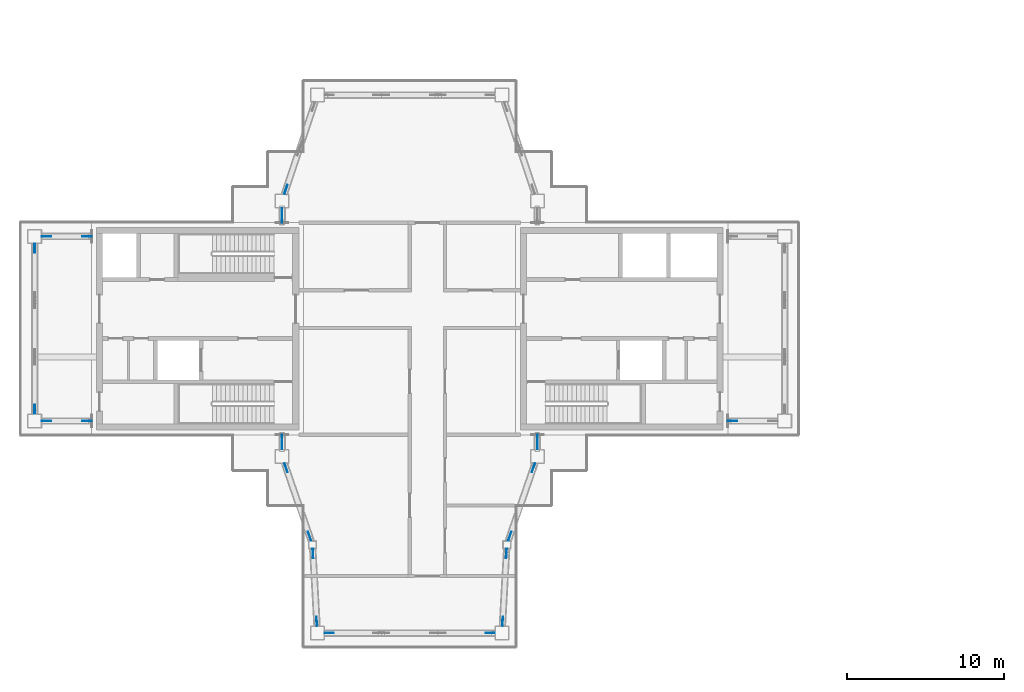
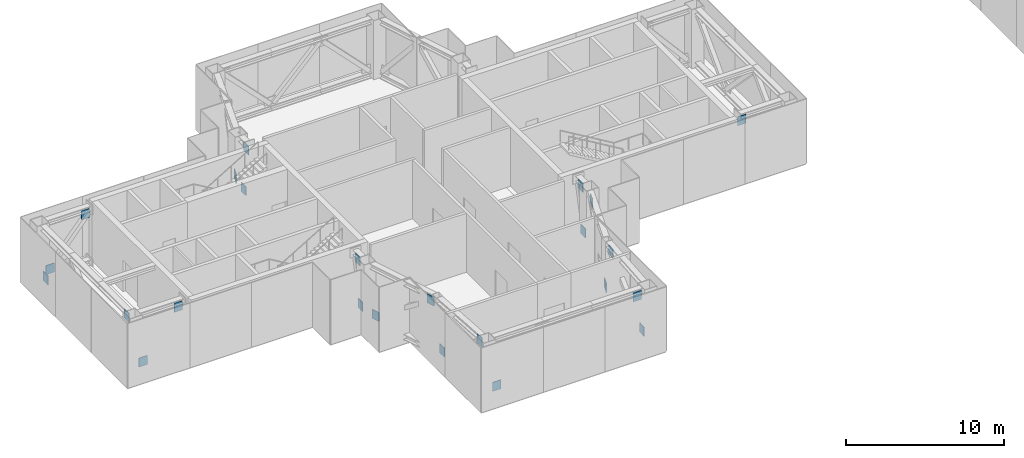
# One storey, part 13 of 18: 24 discrete accessories.
"""IFC4 building model written with IfcOpenShell, lengths in metres."""

from ifc_helpers import new_model, si_unit, direction, frame, origin, origin_2d, place, context, subcontext, project, spatial, rectangle, extrude, material, layer, layer_set, type_object, element, save


model = new_model("IFC4")

# Units and contexts
model_context = context("Model", 3, precision=1e-05, world=origin(), true_north=direction((0.0, 1.0)))
body_context = subcontext(model_context, "Body", "Model", "MODEL_VIEW")
ifc_project = project(units=[si_unit("LENGTHUNIT", "METRE"), si_unit("AREAUNIT", "SQUARE_METRE"), si_unit("VOLUMEUNIT", "CUBIC_METRE"), si_unit("PLANEANGLEUNIT", "RADIAN"), si_unit("MASSUNIT", "GRAM", prefix="KILO")], contexts=[model_context])

# Site, building, storey
site_placement = place(None, origin())
site = spatial("IfcSite", under=ifc_project, at=site_placement, CompositionType="ELEMENT")
building_placement = place(site_placement, origin())
building = spatial("IfcBuilding", under=site, at=building_placement, Name="Shamsa Quay Exchange Towers", CompositionType="ELEMENT")
storey_placement = place(building_placement, frame((0.0, 0.0, 273.300048828125)))
storey = spatial("IfcBuildingStorey", under=building, at=storey_placement, Name="L66", CompositionType="ELEMENT", Elevation=273.300048828125)

# Discrete accessories
ifc_material = material(Name="Steel S355", Category="steel")
ifc_layer = layer(ifc_material, 0.0400390625)
ifc_layer_set = layer_set([ifc_layer], Name="End plate 600x700x40")
discrete_accessory_type = type_object("IfcDiscreteAccessoryType", Name="End plate 600x700x40", PredefinedType="BRACKET", material=ifc_layer_set)
for number, where, name in (
    (1, (-56.875, -5.875, 0.26611328125), "End plate T1 L66"),
    (2, (-54.300048828125, -5.875, 3.583984375), "End plate T1 L66"),
):
    element("IfcDiscreteAccessory", number, at=place(storey_placement, frame(where)), inside=storey, type_object=discrete_accessory_type, Name=name, PredefinedType="BRACKET", context=body_context, shape_type="SweptSolid", body=[
        extrude(rectangle(XDim=0.60009765625, YDim=0.0400390625, at=origin_2d()), origin(), (0.0, 0.0, 1.0), 0.699951171875),
    ])
for number, where, z_axis, x_axis, name in (
    (3, (-41.875, -7.375, 0.26611328125), (0.0, 0.0, 1.0), (0.0, 1.0, 0.0), "End plate T1 L66"),
    (4, (-41.875, -7.050048828125, 3.583984375), (0.0, 0.0, 1.0), (0.0, 1.0, 0.0), "End plate T1 L66"),
    (5, (-41.622314453125, -8.858642578125, 0.26611328125), (0.0, 0.0, 1.0), (0.325666906351, -0.945484566827, 0.0), "End plate T1 L66"),
    (6, (-40.121337890625, -13.21630859375, 3.583984375), (0.0, 0.0, 1.0), (0.325666906351, -0.945484566827, 0.0), "End plate T1 L66"),
    (7, (-39.906982421875, -14.299560546875, 0.26611328125), (0.0, 0.0, 1.0), (0.055470019625, -0.998460353205, 0.0), "End plate T1 L66"),
    (8, (-39.666748046875, -18.62548828125, 3.583984375), (0.0, 0.0, 1.0), (0.055470019625, -0.998460353205, 0.0), "End plate T1 L66"),
):
    element("IfcDiscreteAccessory", number, at=place(storey_placement, frame(where, z_axis=z_axis, x_axis=x_axis)), inside=storey, type_object=discrete_accessory_type, Name=name, PredefinedType="BRACKET", context=body_context, shape_type="SweptSolid", body=[
        extrude(rectangle(XDim=0.60009765625, YDim=0.0400390625, at=origin_2d()), origin(), (0.0, 0.0, 1.0), 0.699951171875),
    ])
for number, where, name in (
    (9, (-38.875, -19.375, 0.26611328125), "End plate T1 L66"),
    (10, (-28.625, -19.375, 3.583984375), "End plate T1 L66"),
):
    element("IfcDiscreteAccessory", number, at=place(storey_placement, frame(where)), inside=storey, type_object=discrete_accessory_type, Name=name, PredefinedType="BRACKET", context=body_context, shape_type="SweptSolid", body=[
        extrude(rectangle(XDim=0.60009765625, YDim=0.0400390625, at=origin_2d()), origin(), (0.0, 0.0, 1.0), 0.699951171875),
    ])
for number, where, z_axis, x_axis, name in (
    (11, (-27.833251953125, -18.62548828125, 0.26611328125), (0.0, 0.0, 1.0), (0.055470019625, 0.998460353205, 0.0), "End plate T1 L66"),
    (12, (-27.593017578125, -14.299560546875, 3.583984375), (0.0, 0.0, 1.0), (0.055470019625, 0.998460353205, 0.0), "End plate T1 L66"),
    (13, (-27.378662109375, -13.21630859375, 0.26611328125), (0.0, 0.0, 1.0), (0.325666906351, 0.945484566827, 0.0), "End plate T1 L66"),
    (14, (-25.877685546875, -8.858642578125, 3.583984375), (0.0, 0.0, 1.0), (0.325666906351, 0.945484566827, 0.0), "End plate T1 L66"),
    (15, (-25.625, -7.375, 0.26611328125), (0.0, 0.0, 1.0), (0.0, 1.0, 0.0), "End plate T1 L66"),
    (16, (-25.625, -7.050048828125, 3.583984375), (0.0, 0.0, 1.0), (0.0, 1.0, 0.0), "End plate T1 L66"),
    (17, (-13.199951171875, -5.875, 3.583984375), (0.0, 0.0, 1.0), (-1.0, 0.0, 0.0), "End plate T1 L66"),
    (18, (-41.630126953125, 8.859619140625, 0.26611328125), (0.0, 0.0, 1.0), (-0.316227766018, -0.94868329805, 0.0), "End plate T1 L66"),
    (19, (-41.875, 7.375, 0.26611328125), (0.0, 0.0, 1.0), (0.0, -1.0, 0.0), "End plate T1 L66"),
    (20, (-41.875, 7.050048828125, 3.583984375), (0.0, 0.0, 1.0), (0.0, -1.0, 0.0), "End plate T1 L66"),
):
    element("IfcDiscreteAccessory", number, at=place(storey_placement, frame(where, z_axis=z_axis, x_axis=x_axis)), inside=storey, type_object=discrete_accessory_type, Name=name, PredefinedType="BRACKET", context=body_context, shape_type="SweptSolid", body=[
        extrude(rectangle(XDim=0.60009765625, YDim=0.0400390625, at=origin_2d()), origin(), (0.0, 0.0, 1.0), 0.699951171875),
    ])
for number, where, name in (
    (21, (-56.875, 5.875, 0.26611328125), "End plate T1 L66"),
    (22, (-54.300048828125, 5.875, 3.583984375), "End plate T1 L66"),
):
    element("IfcDiscreteAccessory", number, at=place(storey_placement, frame(where)), inside=storey, type_object=discrete_accessory_type, Name=name, PredefinedType="BRACKET", context=body_context, shape_type="SweptSolid", body=[
        extrude(rectangle(XDim=0.60009765625, YDim=0.0400390625, at=origin_2d()), origin(), (0.0, 0.0, 1.0), 0.699951171875),
    ])
for number, where, z_axis, x_axis, name in (
    (23, (-57.625, 5.125, 0.26611328125), (0.0, 0.0, 1.0), (0.0, -1.0, 0.0), "End plate T1 L66"),
    (24, (-57.625, -5.125, 3.583984375), (0.0, 0.0, 1.0), (0.0, -1.0, 0.0), "End plate T1 L66"),
):
    element("IfcDiscreteAccessory", number, at=place(storey_placement, frame(where, z_axis=z_axis, x_axis=x_axis)), inside=storey, type_object=discrete_accessory_type, Name=name, PredefinedType="BRACKET", context=body_context, shape_type="SweptSolid", body=[
        extrude(rectangle(XDim=0.60009765625, YDim=0.0400390625, at=origin_2d()), origin(), (0.0, 0.0, 1.0), 0.699951171875),
    ])

save(model, "model.ifc")
